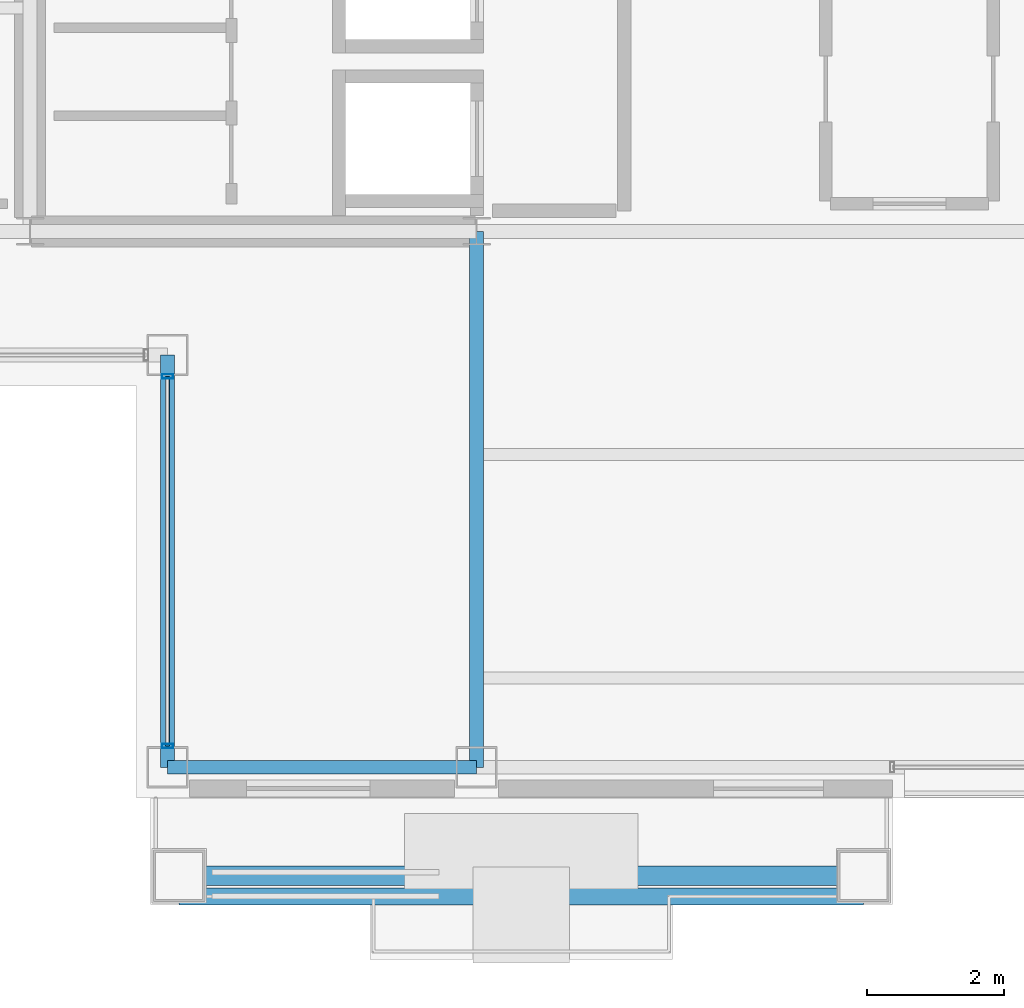
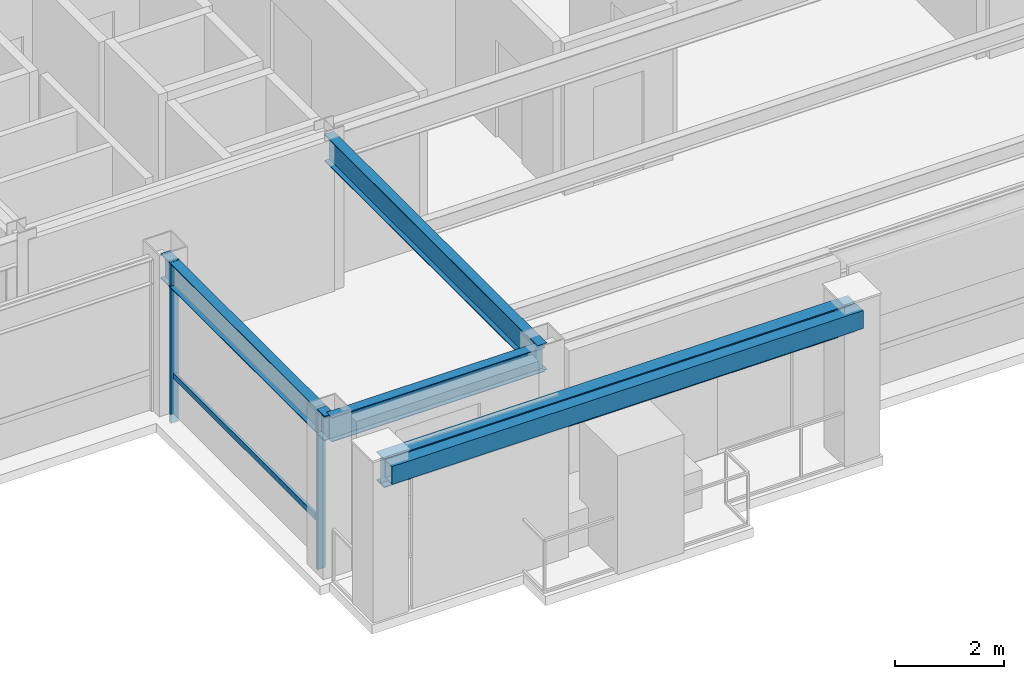
# One storey, part 3 of 28: 4 beams, 4 members, 1 element without a shape of its own.
"""IFC4 building model written with IfcOpenShell, lengths in metres."""

from ifc_helpers import new_model, si_unit, direction, frame, origin, origin_2d, place, context, subcontext, project, spatial, hollow_rectangle, i_section, extrude, material, layer, layer_set, material_profile, profile_set, type_object, element, aggregate, save


model = new_model("IFC4")

# Units and contexts
model_context = context("Model", 3, precision=1e-05, world=origin(), true_north=direction((0.0, 1.0)))
body_context = subcontext(model_context, "Body", "Model", "MODEL_VIEW")
ifc_project = project(units=[si_unit("LENGTHUNIT", "METRE"), si_unit("AREAUNIT", "SQUARE_METRE"), si_unit("VOLUMEUNIT", "CUBIC_METRE"), si_unit("PLANEANGLEUNIT", "RADIAN"), si_unit("MASSUNIT", "GRAM", prefix="KILO")], contexts=[model_context])

# Site, building, storey
site_placement = place(None, origin())
site = spatial("IfcSite", under=ifc_project, at=site_placement, CompositionType="ELEMENT")
building_placement = place(site_placement, origin())
building = spatial("IfcBuilding", under=site, at=building_placement, Name="Brelmoor Portico Tower", CompositionType="ELEMENT")
storey_placement = place(building_placement, frame((0.0, 0.0, 265.199951171875)))
storey = spatial("IfcBuildingStorey", under=building, at=storey_placement, Name="L70", CompositionType="ELEMENT", Elevation=265.199951171875)

# Beams
ifc_material_1 = material(Name="Steel Q355B", Category="steel")
ifc_material_profile_1 = material_profile(ifc_material_1, i_section(OverallWidth=0.199951171875, OverallDepth=0.60009765625, WebThickness=0.010986328125, FlangeThickness=0.01708984375, at=origin_2d()), Name="HN 600x200x11x17")
ifc_profile_set_1 = profile_set([ifc_material_profile_1], Name="Steel Q355B")
beam_type_1 = type_object("IfcBeamType", Name="BM-PG-600", PredefinedType="BEAM", material=ifc_profile_set_1)
beam_1_placement = place(storey_placement, frame((-8.050048828125, -17.550048828125, 3.10009765625), z_axis=(0.0, 1.0, 0.0), x_axis=(-1.0, 0.0, 0.0)))
element("IfcBeam", 1, at=beam_1_placement, inside=storey, type_object=beam_type_1, Name="L70 Primary Floor Girder PG-03", PredefinedType="BEAM", context=body_context, shape_type="SweptSolid", body=[
    extrude(i_section(OverallWidth=0.199951171875, OverallDepth=0.60009765625, WebThickness=0.010986328125, FlangeThickness=0.01708984375, at=origin_2d()), origin(), (0.0, 0.0, 1.0), 7.800048828125),
])
ifc_material_profile_2 = material_profile(ifc_material_1, i_section(OverallWidth=0.199951171875, OverallDepth=0.550048828125, WebThickness=0.010009765625, FlangeThickness=0.01611328125, at=origin_2d()), Name="HN 550x200x10x16")
ifc_profile_set_2 = profile_set([ifc_material_profile_2], Name="Steel Q355B")
beam_type_2 = type_object("IfcBeamType", Name="BM-SP-550", PredefinedType="SPANDREL", material=ifc_profile_set_2)
beam_2_placement = place(storey_placement, frame((-12.550048828125, -17.550048828125, 3.125), z_axis=(1.0, 0.0, 0.0), x_axis=(0.0, 1.0, 0.0)))
element("IfcBeam", 2, at=beam_2_placement, inside=storey, type_object=beam_type_2, Name="L70 Perimeter Spandrel Beam SP-01", PredefinedType="SPANDREL", context=body_context, shape_type="SweptSolid", body=[
    extrude(i_section(OverallWidth=0.199951171875, OverallDepth=0.550048828125, WebThickness=0.010009765625, FlangeThickness=0.01611328125, at=origin_2d()), origin(), (0.0, 0.0, 1.0), 4.5),
])
beam_3_placement = place(storey_placement, frame((-12.550048828125, -17.550048828125, 3.125), z_axis=(0.0, 1.0, 0.0), x_axis=(-1.0, 0.0, 0.0)))
element("IfcBeam", 3, at=beam_3_placement, inside=storey, type_object=beam_type_2, Name="L70 Perimeter Spandrel Beam SP-14", PredefinedType="SPANDREL", context=body_context, shape_type="SweptSolid", body=[
    extrude(i_section(OverallWidth=0.199951171875, OverallDepth=0.550048828125, WebThickness=0.010009765625, FlangeThickness=0.01611328125, at=origin_2d()), origin(), (0.0, 0.0, 1.0), 6.0),
])
ifc_material_profile_3 = material_profile(ifc_material_1, i_section(OverallWidth=0.280029296875, OverallDepth=0.64990234375, WebThickness=0.012939453125, FlangeThickness=0.02197265625, at=origin_2d()), Name="HN 650x280x13x22")
ifc_profile_set_3 = profile_set([ifc_material_profile_3], Name="Steel Q355B")
beam_type_3 = type_object("IfcBeamType", Name="BM-SP-650", PredefinedType="SPANDREL", material=ifc_profile_set_3)
beam_4_placement = place(storey_placement, frame((-12.3798828125, -19.1298828125, 3.074951171875), z_axis=(1.0, 0.0, 0.0), x_axis=(0.0, 1.0, 0.0)))
element("IfcBeam", 4, at=beam_4_placement, inside=storey, type_object=beam_type_3, Name="L70 Picture-Frame Perimeter Lintel Beam S1", PredefinedType="SPANDREL", context=body_context, shape_type="SweptSolid", body=[
    extrude(i_section(OverallWidth=0.280029296875, OverallDepth=0.64990234375, WebThickness=0.012939453125, FlangeThickness=0.02197265625, at=origin_2d()), origin(), (0.0, 0.0, 1.0), 9.9599609375),
])

# Curtain wall, members
ifc_material_2 = material(Name="Anodised Aluminium Alloy 6063-T6", Category="aluminium")
ifc_layer = layer(ifc_material_2, 0.179931640625)
ifc_layer_set = layer_set([ifc_layer], Name="Anodised Aluminium Alloy 6063-T6")
curtain_wall_type = type_object("IfcCurtainWallType", Name="CW-NOTCH-CHAMFER", PredefinedType="NOTDEFINED", material=ifc_layer_set)
curtain_wall_placement = place(storey_placement, origin())
curtain_wall = element("IfcCurtainWall", 5, at=curtain_wall_placement, inside=storey, type_object=curtain_wall_type, Name="L70 Curtain Wall CWN-L70-SWV", PredefinedType="NOTDEFINED")
ifc_material_profile_4 = material_profile(ifc_material_2, hollow_rectangle(XDim=0.06494140625, YDim=0.1650390625, WallThickness=0.00390625, at=origin_2d()), Name="ALU MULLION 65x165")
ifc_profile_set_4 = profile_set([ifc_material_profile_4], Name="Anodised Aluminium Alloy 6063-T6")
member_type_1 = type_object("IfcMemberType", Name="MB-CW-MULL-165", PredefinedType="MULLION", material=ifc_profile_set_4)
member_1_placement = place(storey_placement, frame((-12.550048828125, -17.239990234375, -0.199951171875), z_axis=(0.0, 0.0, 1.0), x_axis=(0.0, 1.0, 0.0)))
member_1 = element("IfcMember", 6, at=member_1_placement, type_object=member_type_1, Name="CWN-L70-SWV Mullion 00", PredefinedType="MULLION", context=body_context, shape_type="SweptSolid", body=[
    extrude(hollow_rectangle(XDim=0.06494140625, YDim=0.1650390625, WallThickness=0.00390625, at=origin_2d()), origin(), (0.0, 0.0, 1.0), 3.60009765625),
])
member_2_placement = place(storey_placement, frame((-12.550048828125, -11.860107421875, -0.199951171875), z_axis=(0.0, 0.0, 1.0), x_axis=(0.0, 1.0, 0.0)))
member_2 = element("IfcMember", 7, at=member_2_placement, type_object=member_type_1, Name="CWN-L70-SWV Mullion 01", PredefinedType="MULLION", context=body_context, shape_type="SweptSolid", body=[
    extrude(hollow_rectangle(XDim=0.06494140625, YDim=0.1650390625, WallThickness=0.00390625, at=origin_2d()), origin(), (0.0, 0.0, 1.0), 3.60009765625),
])
ifc_material_profile_5 = material_profile(ifc_material_2, hollow_rectangle(XDim=0.06005859375, YDim=0.125, WallThickness=0.00341796875, at=origin_2d()), Name="ALU TRANSOM 60x125")
ifc_profile_set_5 = profile_set([ifc_material_profile_5], Name="Anodised Aluminium Alloy 6063-T6")
member_type_2 = type_object("IfcMemberType", Name="MB-CW-TRAN-125", PredefinedType="USERDEFINED", material=ifc_profile_set_5)
member_3_placement = place(storey_placement, frame((-12.550048828125, -17.239990234375, 0.85009765625), z_axis=(0.0, 1.0, 0.0), x_axis=(-1.0, 0.0, 0.0)))
member_3 = element("IfcMember", 8, at=member_3_placement, type_object=member_type_2, Name="CWN-L70-SWV Transom 1-00", ObjectType="TRANSOM", PredefinedType="USERDEFINED", context=body_context, shape_type="SweptSolid", body=[
    extrude(hollow_rectangle(XDim=0.06005859375, YDim=0.125, WallThickness=0.00341796875, at=origin_2d()), origin(), (0.0, 0.0, 1.0), 5.3798828125),
])
aggregate(curtain_wall, [member_1, member_2, member_3])

# Member
ifc_material_3 = material(Name="Pale Champagne Fluoropolymer-Coated Steel Q355B", Category="steel")
ifc_material_profile_6 = material_profile(ifc_material_3, hollow_rectangle(XDim=0.25, YDim=0.39990234375, WallThickness=0.013916015625, at=origin_2d()), Name="RHS 250x400x14")
ifc_profile_set_6 = profile_set([ifc_material_profile_6], Name="Pale Champagne Fluoropolymer-Coated Steel Q355B")
member_type_3 = type_object("IfcMemberType", Name="MB-PF-HEADER", PredefinedType="MEMBER", material=ifc_profile_set_6)
member_4_placement = place(storey_placement, frame((-12.3798828125, -19.429931640625, 3.199951171875), z_axis=(1.0, 0.0, 0.0), x_axis=(0.0, 1.0, 0.0)))
element("IfcMember", 9, at=member_4_placement, inside=storey, type_object=member_type_3, Name="L70 Picture-Frame Header S", PredefinedType="MEMBER", context=body_context, shape_type="SweptSolid", body=[
    extrude(hollow_rectangle(XDim=0.25, YDim=0.39990234375, WallThickness=0.013916015625, at=origin_2d()), origin(), (0.0, 0.0, 1.0), 9.9599609375),
])

save(model, "model.ifc")
